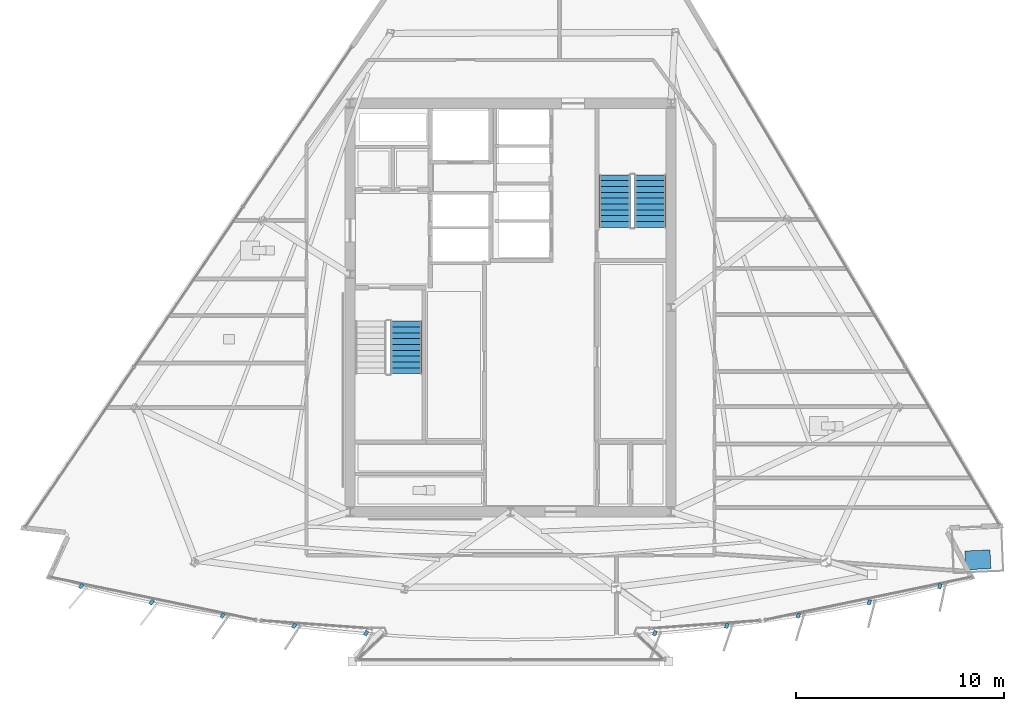
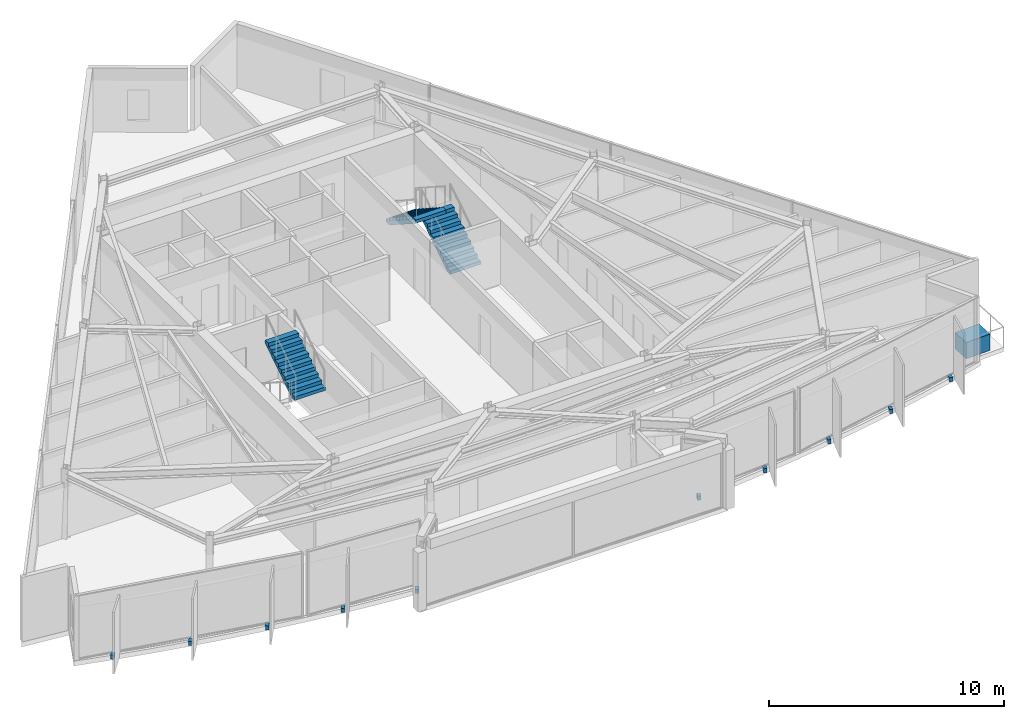
# One storey, part 9 of 13: 11 discrete accessories, 3 stair flights, 2 elements without a shape of their own.
"""IFC4 building model written with IfcOpenShell, lengths in metres."""

from ifc_helpers import new_model, si_unit, direction, frame, origin, origin_2d, place, context, subcontext, project, spatial, polyline, rectangle, outline, extrude, material, type_object, element, aggregate, save


model = new_model("IFC4")

# Units and contexts
model_context = context("Model", 3, precision=1e-05, world=origin(), true_north=direction((0.0, 1.0)))
body_context = subcontext(model_context, "Body", "Model", "MODEL_VIEW")
ifc_project = project(units=[si_unit("LENGTHUNIT", "METRE"), si_unit("AREAUNIT", "SQUARE_METRE"), si_unit("VOLUMEUNIT", "CUBIC_METRE"), si_unit("PLANEANGLEUNIT", "RADIAN"), si_unit("MASSUNIT", "GRAM", prefix="KILO")], contexts=[model_context])

# Site, building, storey
site_placement = place(None, origin())
site = spatial("IfcSite", under=ifc_project, at=site_placement, CompositionType="ELEMENT")
building_placement = place(site_placement, origin())
building = spatial("IfcBuilding", under=site, at=building_placement, Name="Savorim Split Tower", CompositionType="ELEMENT")
storey_placement = place(building_placement, frame((0.0, 0.0, 286.800048828125)))
storey = spatial("IfcBuildingStorey", under=building, at=storey_placement, Name="L76", CompositionType="ELEMENT", Elevation=286.800048828125)

# Stair, stair flight
ifc_material_1 = material(Name="Concrete C50/60", Category="concrete")
stair_type = type_object("IfcStairType", Name="STR-DOG-3600", PredefinedType="HALF_TURN_STAIR", material=ifc_material_1)
stair_1_placement = place(storey_placement, origin())
stair_1 = element("IfcStair", 1, at=stair_1_placement, inside=storey, type_object=stair_type, Name="L76 Core Protected Exit Stair ST-1", PredefinedType="HALF_TURN_STAIR")
stair_flight_type = type_object("IfcStairFlightType", Name="SFL-DOG-3600", PredefinedType="STRAIGHT", material=ifc_material_1)
stair_flight_1_placement = place(storey_placement, frame((-5.0, -2.77001953125, 1.800048828125), z_axis=(0.0, 0.0, 1.0), x_axis=(0.0, 1.0, 0.0)))
stair_flight_1 = element("IfcStairFlight", 2, at=stair_flight_1_placement, type_object=stair_flight_type, Name="ST-1 flight 2", NumberOfRisers=10, NumberOfTreads=9, PredefinedType="STRAIGHT", RiserHeight=0.18, TreadLength=0.28, context=body_context, shape_type="SweptSolid", body=[
    extrude(outline(polyline([(0.0, 0.0), (0.0, 0.179931640625), (0.280029296875, 0.179931640625), (0.280029296875, 0.360107421875), (0.56005859375, 0.360107421875), (0.56005859375, 0.5400390625), (0.840087890625, 0.5400390625), (0.840087890625, 0.719970703125), (1.1201171875, 0.719970703125), (1.1201171875, 0.89990234375), (1.39990234375, 0.89990234375), (1.39990234375, 1.080078125), (1.679931640625, 1.080078125), (1.679931640625, 1.260009765625), (1.9599609375, 1.260009765625), (1.9599609375, 1.43994140625), (2.239990234375, 1.43994140625), (2.239990234375, 1.6201171875), (2.52001953125, 1.6201171875), (2.52001953125, 1.800048828125), (2.52001953125, 1.44189453125), (0.277099609375, 0.0), (0.0, 0.0)])), frame((0.0, 0.75, 0.0), z_axis=(0.0, -1.0, 0.0), x_axis=(1.0, 0.0, 0.0)), (0.0, 0.0, 1.0), 1.5),
])
aggregate(stair_1, [stair_flight_1])

# Stair, stair flights
stair_2_placement = place(storey_placement, origin())
stair_2 = element("IfcStair", 3, at=stair_2_placement, inside=storey, type_object=stair_type, Name="L76 Core Protected Exit Stair ST-2", PredefinedType="HALF_TURN_STAIR")
stair_flight_2_placement = place(storey_placement, frame((6.699951171875, 4.25, 0.0), z_axis=(0.0, 0.0, 1.0), x_axis=(0.0, 1.0, 0.0)))
stair_flight_2 = element("IfcStairFlight", 4, at=stair_flight_2_placement, type_object=stair_flight_type, Name="ST-2 flight 1", NumberOfRisers=10, NumberOfTreads=9, PredefinedType="STRAIGHT", RiserHeight=0.18, TreadLength=0.28, context=body_context, shape_type="SweptSolid", body=[
    extrude(outline(polyline([(0.0, 0.0), (0.0, 0.179931640625), (0.280029296875, 0.179931640625), (0.280029296875, 0.360107421875), (0.56005859375, 0.360107421875), (0.56005859375, 0.5400390625), (0.840087890625, 0.5400390625), (0.840087890625, 0.719970703125), (1.1201171875, 0.719970703125), (1.1201171875, 0.89990234375), (1.39990234375, 0.89990234375), (1.39990234375, 1.080078125), (1.679931640625, 1.080078125), (1.679931640625, 1.260009765625), (1.9599609375, 1.260009765625), (1.9599609375, 1.43994140625), (2.239990234375, 1.43994140625), (2.239990234375, 1.6201171875), (2.52001953125, 1.6201171875), (2.52001953125, 1.800048828125), (2.52001953125, 1.44189453125), (0.277099609375, 0.0), (0.0, 0.0)])), frame((0.0, 0.75, 0.0), z_axis=(0.0, -1.0, 0.0), x_axis=(1.0, 0.0, 0.0)), (0.0, 0.0, 1.0), 1.5),
])
stair_flight_3_placement = place(storey_placement, frame((5.0, 6.77001953125, 1.800048828125), z_axis=(0.0, 0.0, 1.0), x_axis=(0.0, -1.0, 0.0)))
stair_flight_3 = element("IfcStairFlight", 5, at=stair_flight_3_placement, type_object=stair_flight_type, Name="ST-2 flight 2", NumberOfRisers=10, NumberOfTreads=9, PredefinedType="STRAIGHT", RiserHeight=0.18, TreadLength=0.28, context=body_context, shape_type="SweptSolid", body=[
    extrude(outline(polyline([(0.0, 0.0), (0.0, 0.179931640625), (0.280029296875, 0.179931640625), (0.280029296875, 0.360107421875), (0.56005859375, 0.360107421875), (0.56005859375, 0.5400390625), (0.840087890625, 0.5400390625), (0.840087890625, 0.719970703125), (1.1201171875, 0.719970703125), (1.1201171875, 0.89990234375), (1.39990234375, 0.89990234375), (1.39990234375, 1.080078125), (1.679931640625, 1.080078125), (1.679931640625, 1.260009765625), (1.9599609375, 1.260009765625), (1.9599609375, 1.43994140625), (2.239990234375, 1.43994140625), (2.239990234375, 1.6201171875), (2.52001953125, 1.6201171875), (2.52001953125, 1.800048828125), (2.52001953125, 1.44189453125), (0.277099609375, 0.0), (0.0, 0.0)])), frame((0.0, 0.75, 0.0), z_axis=(0.0, -1.0, 0.0), x_axis=(1.0, 0.0, 0.0)), (0.0, 0.0, 1.0), 1.5),
])
aggregate(stair_2, [stair_flight_2, stair_flight_3])

# Discrete accessories
ifc_material_2 = material(Name="Steel S355", Category="steel")
discrete_accessory_type_1 = type_object("IfcDiscreteAccessoryType", Name="ACC-BRK-FIN", PredefinedType="BRACKET", material=ifc_material_2)
for number, where, z_axis, x_axis, name in (
    (6, (-20.595703125, -12.967529296875, -0.18994140625), (0.0, 0.0, 1.0), (-0.643719022682, -0.765261928909, 0.0), "L76 Fin Slab-Edge Cleat Bracket 01"),
    (7, (-17.216064453125, -13.7412109375, -0.18994140625), (0.0, 0.0, 1.0), (-0.611868076908, -0.790959832394, 0.0), "L76 Fin Slab-Edge Cleat Bracket 02"),
    (8, (-13.8076171875, -14.376220703125, -0.18994140625), (0.0, 0.0, 1.0), (-0.578993757737, -0.815331974414, 0.0), "L76 Fin Slab-Edge Cleat Bracket 03"),
    (9, (-10.3759765625, -14.87109375, -0.18994140625), (0.0, 0.0, 1.0), (-0.545148321708, -0.838339613366, 0.0), "L76 Fin Slab-Edge Cleat Bracket 04"),
    (10, (-6.927001953125, -15.225341796875, -0.18994140625), (0.0, 0.0, 1.0), (-0.510391336723, -0.859942255851, 0.0), "L76 Fin Slab-Edge Cleat Bracket 05"),
    (11, (6.927001953125, -15.225341796875, -0.18994140625), (0.0, 0.0, 1.0), (-0.363415461732, -0.931627179817, 0.0), "L76 Fin Slab-Edge Cleat Bracket 09"),
    (12, (10.3759765625, -14.87109375, -0.18994140625), (0.0, 0.0, 1.0), (-0.324993810493, -0.945716143005, 0.0), "L76 Fin Slab-Edge Cleat Bracket 10"),
    (13, (13.8076171875, -14.376220703125, -0.18994140625), (0.0, 0.0, 1.0), (-0.286026212504, -0.958221793616, 0.0), "L76 Fin Slab-Edge Cleat Bracket 11"),
    (14, (17.216064453125, -13.7412109375, -0.18994140625), (0.0, 0.0, 1.0), (-0.246581250663, -0.969122121727, 0.0), "L76 Fin Slab-Edge Cleat Bracket 12"),
    (15, (20.595703125, -12.967529296875, -0.18994140625), (0.0, 0.0, 1.0), (-0.206721626106, -0.978399800337, 0.0), "L76 Fin Slab-Edge Cleat Bracket 13"),
):
    element("IfcDiscreteAccessory", number, at=place(storey_placement, frame(where, z_axis=z_axis, x_axis=x_axis)), inside=storey, type_object=discrete_accessory_type_1, Name=name, PredefinedType="BRACKET", context=body_context, shape_type="SweptSolid", body=[
        extrude(rectangle(XDim=0.239990234375, YDim=0.159912109375, at=origin_2d()), origin(), (0.0, 0.0, 1.0), 0.219970703125),
    ])
ifc_material_3 = material(Name="Architectural Precast Planter Concrete C40/50", Category="concrete")
discrete_accessory_type_2 = type_object("IfcDiscreteAccessoryType", Name="ACC-PLN-TREE", PredefinedType="USERDEFINED", material=ifc_material_3)
discrete_accessory_placement = place(storey_placement, frame((22.425537109375, -11.701416015625, 0.0), z_axis=(0.0, 0.0, 1.0), x_axis=(0.999095950682, 0.042512131569, 0.0)))
element("IfcDiscreteAccessory", 16, at=discrete_accessory_placement, inside=storey, type_object=discrete_accessory_type_2, Name="L76 Balcony Precast Tree Planter SE", ObjectType="PLANTER", PredefinedType="USERDEFINED", context=body_context, shape_type="SweptSolid", body=[
    extrude(rectangle(XDim=1.199951171875, YDim=0.89990234375, at=origin_2d()), origin(), (0.0, 0.0, 1.0), 0.85009765625),
])

save(model, "model.ifc")
